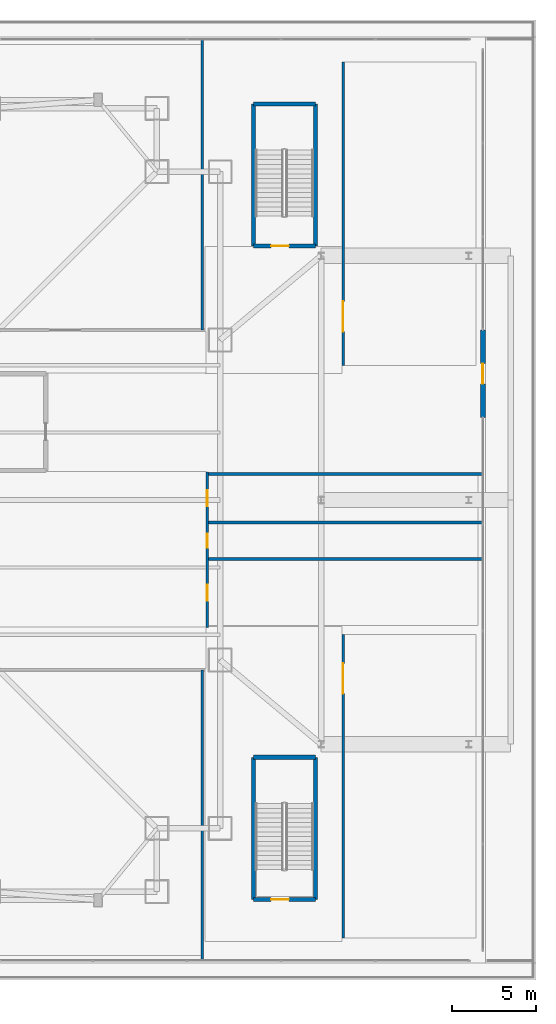
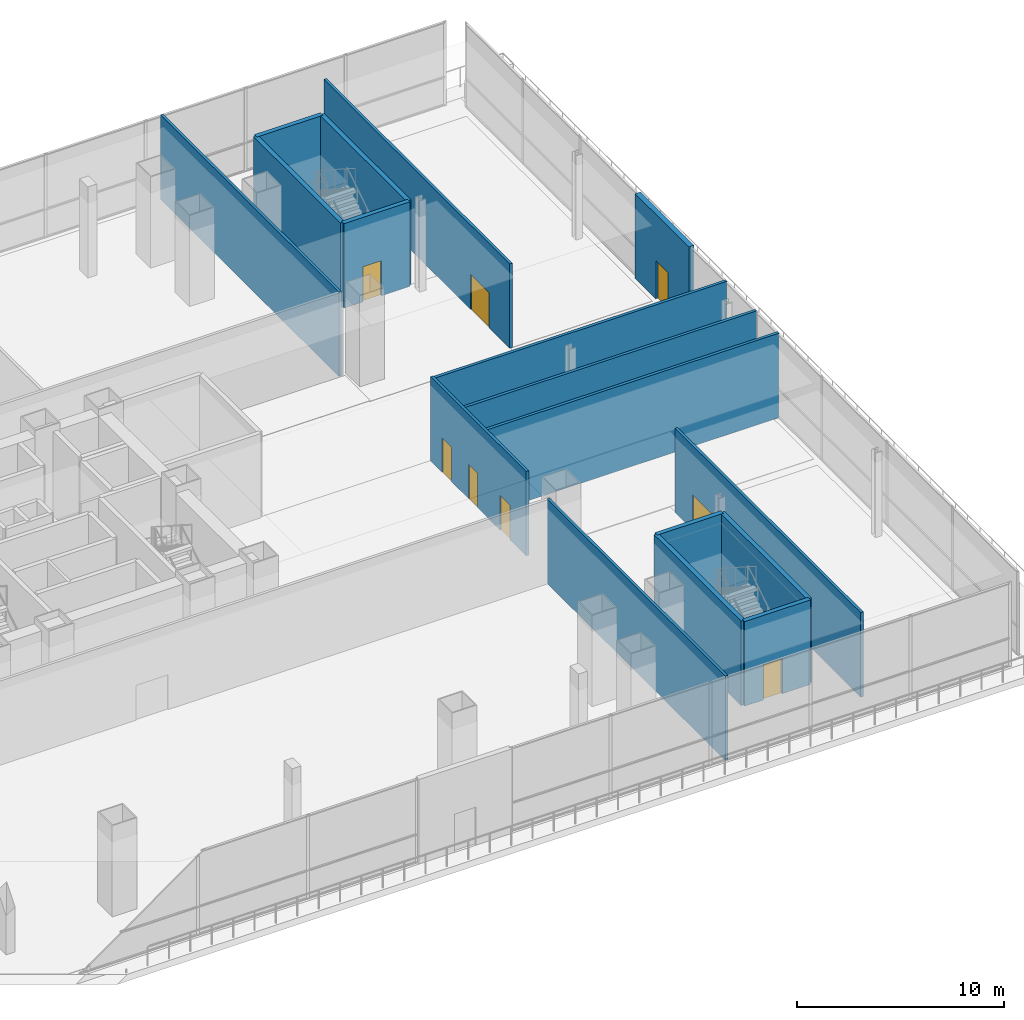
# One storey, part 23 of 36: 17 walls, 8 doors, 8 openings.
"""IFC4 building model written with IfcOpenShell, lengths in metres."""

import ifcopenshell
import ifcopenshell.guid

model = None  # the IFC model being written
_history = None  # IfcOwnerHistory: only IFC2X3 demands one
_inside = {}  # id of a spatial element -> (the spatial element, [elements in it])
_under = {}  # id of a project, library or spatial element -> (it, [spatial elements below it])
_declared = {}  # id of a project -> (the project, [libraries it declares])
_typed = {}  # id of a type object -> (the type object, [elements of that type])
_made_of = {}  # id of a material, layer set ... -> (it, [elements and type objects made of it])


def new_model(schema):
    """Start an empty IFC model of exactly this schema.

    Asked for "IFC4X3", IfcOpenShell would pick the latest addendum, in which some entities
    have other attributes; the version numbers below select the first issue.
    IFC2X3 requires an IfcOwnerHistory on every rooted entity: one is made here for all.
    """
    global model, _history
    if schema == "IFC4X3":
        model = ifcopenshell.file(schema_version=(4, 3, 0, 0))
    else:
        model = ifcopenshell.file(schema=schema)
    _inside.clear()
    _under.clear()
    _declared.clear()
    _typed.clear()
    _made_of.clear()
    _history = None
    if model.schema == "IFC2X3":
        org = make("IfcOrganization", Name="unknown")
        user = make(
            "IfcPersonAndOrganization",
            ThePerson=make("IfcPerson", FamilyName="unknown"),
            TheOrganization=org,
        )
        app = make(
            "IfcApplication",
            ApplicationDeveloper=org,
            Version="unknown",
            ApplicationFullName="unknown",
            ApplicationIdentifier="unknown",
        )
        _history = make(
            "IfcOwnerHistory",
            OwningUser=user,
            OwningApplication=app,
            ChangeAction="ADDED",
            CreationDate=0,
        )
    return model


def make(cls, **values):
    """One entity of the class cls with the attributes given. An attribute that is None is left unset."""
    return model.create_entity(
        cls, **{name: value for name, value in values.items() if value is not None}
    )


def rooted(cls, **values):
    """An entity with a GlobalId (a new one), such as an element, a storey or a relation."""
    return make(cls, GlobalId=ifcopenshell.guid.new(), OwnerHistory=_history, **values)


def si_unit(unit_type, name, prefix=None):
    """IfcSIUnit, for example si_unit("LENGTHUNIT", "METRE", prefix="MILLI")."""
    return make("IfcSIUnit", UnitType=unit_type, Prefix=prefix, Name=name)


def assignment(units):
    """IfcUnitAssignment: the units of a project."""
    return None if units is None else make("IfcUnitAssignment", Units=units)


def point(xyz):
    """IfcCartesianPoint."""
    return None if xyz is None else make("IfcCartesianPoint", Coordinates=xyz)


def direction(xyz):
    """IfcDirection."""
    return None if xyz is None else make("IfcDirection", DirectionRatios=xyz)


def frame(location, z_axis=None, x_axis=None):
    """IfcAxis2Placement3D, a coordinate frame: its origin and axes. An axis left out is left unset."""
    return make(
        "IfcAxis2Placement3D",
        Location=point(location),
        Axis=direction(z_axis),
        RefDirection=direction(x_axis),
    )


def frame_2d(location, x_axis=None):
    """IfcAxis2Placement2D, a coordinate frame in the plane: its origin and x axis."""
    return make(
        "IfcAxis2Placement2D", Location=point(location), RefDirection=direction(x_axis)
    )


def origin():
    """The frame at (0, 0, 0) with its axes left unset."""
    return frame((0.0, 0.0, 0.0))


def place(relative_to, where):
    """IfcLocalPlacement: puts the frame where relative to a parent placement (None: the world)."""
    return make(
        "IfcLocalPlacement", PlacementRelTo=relative_to, RelativePlacement=where
    )


def context(
    kind, dimensions, precision=None, world=None, true_north=None, identifier=None
):
    """IfcGeometricRepresentationContext, for example the 3D "Model" context."""
    return make(
        "IfcGeometricRepresentationContext",
        ContextIdentifier=identifier,
        ContextType=kind,
        CoordinateSpaceDimension=dimensions,
        Precision=precision,
        WorldCoordinateSystem=world,
        TrueNorth=true_north,
    )


def subcontext(parent, identifier, kind, view, scale=None):
    """IfcGeometricRepresentationSubContext, for example "Body" below "Model"."""
    return make(
        "IfcGeometricRepresentationSubContext",
        ContextIdentifier=identifier,
        ContextType=kind,
        ParentContext=parent,
        TargetScale=scale,
        TargetView=view,
    )


def project(units=None, contexts=None):
    """IfcProject with its units and contexts."""
    return rooted(
        "IfcProject",
        Name="project",
        RepresentationContexts=contexts,
        UnitsInContext=assignment(units),
    )


def spatial(cls, under=None, at=None, **own):
    """A site, building, storey or space (cls), placed at a placement, below another one or the project."""
    s = rooted(cls, ObjectPlacement=at, **own)
    if under is not None:
        _under.setdefault(under.id(), (under, []))[1].append(s)
    return s


def profile(cls, at=None, kind="AREA", **sizes):
    """A parametric profile (cls). Its sizes go by their IFC names, for example OverallWidth=200.0."""
    return make(cls, ProfileType=kind, Position=at, **sizes)


def rectangle(**sizes):
    """IfcRectangleProfileDef."""
    return profile("IfcRectangleProfileDef", **sizes)


def extrude(swept, where, along, depth):
    """IfcExtrudedAreaSolid: the profile swept, set in the frame where, extruded along a direction by depth."""
    return make(
        "IfcExtrudedAreaSolid",
        SweptArea=swept,
        Position=where,
        ExtrudedDirection=direction(along),
        Depth=depth,
    )


def shape(context_of_items, identifier, shape_type, items):
    """IfcShapeRepresentation: the items that make up one representation, for example the "Body"."""
    return make(
        "IfcShapeRepresentation",
        ContextOfItems=context_of_items,
        RepresentationIdentifier=identifier,
        RepresentationType=shape_type,
        Items=items,
    )


def material(Name=None, Category=None):
    """IfcMaterial."""
    return make("IfcMaterial", Name=Name, Category=Category)


def layer(
    of_material, thickness, ventilated=None, Name=None, Category=None, Priority=None
):
    """IfcMaterialLayer: one layer of a wall or slab, of a material (None: an air gap)."""
    return make(
        "IfcMaterialLayer",
        Material=of_material,
        LayerThickness=thickness,
        IsVentilated=ventilated,
        Name=Name,
        Category=Category,
        Priority=Priority,
    )


def layer_set(layers, Name=None):
    """IfcMaterialLayerSet."""
    return make("IfcMaterialLayerSet", MaterialLayers=layers, LayerSetName=Name)


def made_of(thing, what):
    """Note that an element or type object is made of a material, layer set ...; save() writes the relation."""
    if what is not None:
        _made_of.setdefault(what.id(), (what, []))[1].append(thing)
    return thing


def type_object(cls, material=None, **own):
    """A type object (cls), such as IfcWallType, which elements share."""
    return made_of(rooted(cls, **own), material)


def element(
    cls,
    number,
    at=None,
    inside=None,
    cuts=None,
    type_object=None,
    material=None,
    context=None,
    identifier="Body",
    shape_type=None,
    held_by="IfcProductDefinitionShape",
    body=None,
    shapes=None,
    **own,
):
    """One element of the class cls, such as IfcWall. Its Tag is "e" and its number.

    at: its placement. inside: the storey or other place that contains it. cuts: it is an
    opening in that element (IfcRelVoidsElement). A single representation is given by context,
    identifier, shape_type and body (its items); several are given by shapes. held_by: the class
    of the entity that holds the representations. save() writes the other relations.
    """
    e = rooted(cls, Tag="e%d" % number, ObjectPlacement=at, **own)
    if body is not None:
        shapes = [shape(context, identifier, shape_type, body)]
    if shapes is not None:
        e.Representation = make(held_by, Representations=shapes)
    if inside is not None:
        _inside.setdefault(inside.id(), (inside, []))[1].append(e)
    if cuts is not None:
        rooted(
            "IfcRelVoidsElement", RelatingBuildingElement=cuts, RelatedOpeningElement=e
        )
    if type_object is not None:
        _typed.setdefault(type_object.id(), (type_object, []))[1].append(e)
    return made_of(e, material)


def fill(opening, filler):
    """IfcRelFillsElement: the door or window that sits in an opening."""
    return rooted(
        "IfcRelFillsElement",
        RelatingOpeningElement=opening,
        RelatedBuildingElement=filler,
    )


def aggregate(whole, parts):
    """IfcRelAggregates: a whole, such as a stair, and the parts it consists of."""
    return rooted("IfcRelAggregates", RelatingObject=whole, RelatedObjects=parts)


def save(model, path):
    """Write the relations noted so far, then the file.

    IfcRelAggregates (storeys below a building ...), IfcRelContainedInSpatialStructure (elements
    in a storey), IfcRelDefinesByType, IfcRelAssociatesMaterial and IfcRelDeclares: one each for
    every whole, place, type object, material and project.
    """
    for whole, parts in _under.values():
        aggregate(whole, parts)
    for where, things in _inside.values():
        rooted(
            "IfcRelContainedInSpatialStructure",
            RelatedElements=things,
            RelatingStructure=where,
        )
    for kind, things in _typed.values():
        rooted("IfcRelDefinesByType", RelatedObjects=things, RelatingType=kind)
    for what, things in _made_of.values():
        rooted("IfcRelAssociatesMaterial", RelatedObjects=things, RelatingMaterial=what)
    for by, libraries in _declared.values():
        rooted("IfcRelDeclares", RelatingContext=by, RelatedDefinitions=libraries)
    model.write(path)


model = new_model("IFC4")

# Units and contexts
model_context = context("Model", 3, precision=1e-05, world=origin(), true_north=direction((0.0, 1.0)))
body_context = subcontext(model_context, "Body", "Model", "MODEL_VIEW")
ifc_project = project(units=[si_unit("LENGTHUNIT", "METRE"), si_unit("AREAUNIT", "SQUARE_METRE"), si_unit("VOLUMEUNIT", "CUBIC_METRE"), si_unit("PLANEANGLEUNIT", "RADIAN"), si_unit("MASSUNIT", "GRAM", prefix="KILO")], contexts=[model_context])

# Site, building, storey
site_placement = place(None, origin())
site = spatial("IfcSite", under=ifc_project, at=site_placement, CompositionType="ELEMENT")
building_placement = place(site_placement, origin())
building = spatial("IfcBuilding", under=site, at=building_placement, Name="Trevonay Congress Spire", CompositionType="ELEMENT")
storey_placement = place(building_placement, frame((0.0, 0.0, 5.39990234375)))
storey = spatial("IfcBuildingStorey", under=building, at=storey_placement, Name="L01", CompositionType="ELEMENT", Elevation=5.39990234375)

# Wall, openings, doors
ifc_material_1 = material(Name="Concrete C40/50", Category="concrete")
ifc_layer_1 = layer(ifc_material_1, 0.14990234375, Name="Concrete C40/50")
ifc_layer_set_1 = layer_set([ifc_layer_1], Name="Concrete C40/50")
wall_type_1 = type_object("IfcWallType", Name="WAL-CORR-150", PredefinedType="PARTITIONING", material=ifc_layer_set_1)
wall_1_placement = place(storey_placement, frame((22.47998046875, -7.570068359375, 0.0), z_axis=(0.0, 0.0, 1.0), x_axis=(0.0, 1.0, 0.0)))
wall_1 = element("IfcWall", 1, at=wall_1_placement, inside=storey, type_object=wall_type_1, Name="L01 interior wall WP-L01E-COR", PredefinedType="PARTITIONING", context=body_context, shape_type="SweptSolid", body=[
    extrude(rectangle(XDim=9.239990234375, YDim=0.14990234375, at=frame_2d((4.6201171875, 0.0))), origin(), (0.0, 0.0, 1.0), 5.0),
])
opening_1_placement = place(wall_1_placement, frame((1.580078125, 0.0, 0.0)))
opening_1 = element("IfcOpeningElement", 2, at=opening_1_placement, cuts=wall_1, Name="Opening D07", PredefinedType="OPENING", context=body_context, shape_type="SweptSolid", body=[
    extrude(rectangle(XDim=0.949951171875, YDim=2.06005859375, at=frame_2d((0.47509765625, 1.030029296875))), frame((0.0, 0.0849609375, 0.0), z_axis=(0.0, -1.0, 0.0), x_axis=(1.0, 0.0, 0.0)), (0.0, 0.0, 1.0), 0.169921875),
])
opening_2_placement = place(wall_1_placement, frame((4.72998046875, 0.0, 0.0)))
opening_2 = element("IfcOpeningElement", 3, at=opening_2_placement, cuts=wall_1, Name="Opening D10", PredefinedType="OPENING", context=body_context, shape_type="SweptSolid", body=[
    extrude(rectangle(XDim=0.85009765625, YDim=2.050048828125, at=frame_2d((0.425048828125, 1.02490234375))), frame((0.0, 0.0849609375, 0.0), z_axis=(0.0, -1.0, 0.0), x_axis=(1.0, 0.0, 0.0)), (0.0, 0.0, 1.0), 0.169921875),
])
opening_3_placement = place(wall_1_placement, frame((7.205078125, 0.0, 0.0)))
opening_3 = element("IfcOpeningElement", 4, at=opening_3_placement, cuts=wall_1, Name="Opening D07", PredefinedType="OPENING", context=body_context, shape_type="SweptSolid", body=[
    extrude(rectangle(XDim=0.949951171875, YDim=2.06005859375, at=frame_2d((0.47509765625, 1.030029296875))), frame((0.0, 0.0849609375, 0.0), z_axis=(0.0, -1.0, 0.0), x_axis=(1.0, 0.0, 0.0)), (0.0, 0.0, 1.0), 0.169921875),
])
ifc_material_2 = material(Name="Pale Anodised Aluminium EN AW-6063-T6", Category="aluminium")
door_type_1 = type_object("IfcDoorType", Name="DOR-OFFICE-95", OperationType="NOTDEFINED", PredefinedType="DOOR", material=ifc_material_2)
door_1_placement = place(opening_1_placement, origin())
door_1 = element("IfcDoor", 5, at=door_1_placement, inside=storey, type_object=door_type_1, Name="L01 East VIP Protocol Salon Door", OperationType="SINGLE_SWING_RIGHT", OverallHeight=2.06005859375, OverallWidth=0.949951171875, PredefinedType="DOOR", context=body_context, shape_type="SweptSolid", body=[
    extrude(rectangle(XDim=0.949951171875, YDim=2.06005859375, at=frame_2d((0.47509765625, 1.030029296875))), frame((0.0, 0.02490234375, 0.0), z_axis=(0.0, -1.0, 0.0), x_axis=(1.0, 0.0, 0.0)), (0.0, 0.0, 1.0), 0.050048828125),
])
fill(opening_1, door_1)
door_2_placement = place(opening_3_placement, origin())
door_2 = element("IfcDoor", 6, at=door_2_placement, inside=storey, type_object=door_type_1, Name="L01 Floor Supplies and Copy Room Door", OperationType="SINGLE_SWING_RIGHT", OverallHeight=2.06005859375, OverallWidth=0.949951171875, PredefinedType="DOOR", context=body_context, shape_type="SweptSolid", body=[
    extrude(rectangle(XDim=0.949951171875, YDim=2.06005859375, at=frame_2d((0.47509765625, 1.030029296875))), frame((0.0, 0.02490234375, 0.0), z_axis=(0.0, -1.0, 0.0), x_axis=(1.0, 0.0, 0.0)), (0.0, 0.0, 1.0), 0.050048828125),
])
fill(opening_3, door_2)
door_type_2 = type_object("IfcDoorType", Name="DOR-WC-85", OperationType="NOTDEFINED", PredefinedType="DOOR", material=ifc_material_2)
door_3_placement = place(opening_2_placement, origin())
door_3 = element("IfcDoor", 7, at=door_3_placement, inside=storey, type_object=door_type_2, Name="L01 Female Restroom WC Door", OperationType="SINGLE_SWING_LEFT", OverallHeight=2.050048828125, OverallWidth=0.85009765625, PredefinedType="DOOR", context=body_context, shape_type="SweptSolid", body=[
    extrude(rectangle(XDim=0.85009765625, YDim=2.050048828125, at=frame_2d((0.425048828125, 1.02490234375))), frame((0.0, 0.02490234375, 0.0), z_axis=(0.0, -1.0, 0.0), x_axis=(1.0, 0.0, 0.0)), (0.0, 0.0, 1.0), 0.050048828125),
])
fill(opening_2, door_3)

# Wall, opening, door
wall_2_placement = place(storey_placement, frame((30.550048828125, -26.0, 0.0), z_axis=(0.0, 0.0, 1.0), x_axis=(0.0, 1.0, 0.0)))
wall_2 = element("IfcWall", 8, at=wall_2_placement, inside=storey, type_object=wall_type_1, Name="L01 interior wall WL01-XSE", PredefinedType="PARTITIONING", context=body_context, shape_type="SweptSolid", body=[
    extrude(rectangle(XDim=18.0, YDim=0.14990234375, at=frame_2d((9.0, 0.0))), origin(), (0.0, 0.0, 1.0), 5.0),
])
opening_4_placement = place(wall_2_placement, frame((14.5, 0.0, 0.0)))
opening_4 = element("IfcOpeningElement", 9, at=opening_4_placement, cuts=wall_2, Name="Opening D09", PredefinedType="OPENING", context=body_context, shape_type="SweptSolid", body=[
    extrude(rectangle(XDim=1.800048828125, YDim=2.080078125, at=frame_2d((0.89990234375, 1.0400390625))), frame((0.0, 0.0849609375, 0.0), z_axis=(0.0, -1.0, 0.0), x_axis=(1.0, 0.0, 0.0)), (0.0, 0.0, 1.0), 0.169921875),
])
door_type_3 = type_object("IfcDoorType", Name="DOR-CONF-DBL", OperationType="DOUBLE_DOOR_SINGLE_SWING", PredefinedType="DOOR", material=ifc_material_2)
door_4_placement = place(opening_4_placement, origin())
door_4 = element("IfcDoor", 10, at=door_4_placement, inside=storey, type_object=door_type_3, Name="L01 L01 South-East Delegation Salon Door", OperationType="DOUBLE_DOOR_SINGLE_SWING", OverallHeight=2.080078125, OverallWidth=1.800048828125, PredefinedType="DOOR", context=body_context, shape_type="SweptSolid", body=[
    extrude(rectangle(XDim=1.800048828125, YDim=2.080078125, at=frame_2d((0.89990234375, 1.0400390625))), frame((0.0, 0.02490234375, 0.0), z_axis=(0.0, -1.0, 0.0), x_axis=(1.0, 0.0, 0.0)), (0.0, 0.0, 1.0), 0.050048828125),
])
fill(opening_4, door_4)

wall_3_placement = place(storey_placement, frame((30.550048828125, 8.0, 0.0), z_axis=(0.0, 0.0, 1.0), x_axis=(0.0, 1.0, 0.0)))
wall_3 = element("IfcWall", 11, at=wall_3_placement, inside=storey, type_object=wall_type_1, Name="L01 interior wall WL01-XNE", PredefinedType="PARTITIONING", context=body_context, shape_type="SweptSolid", body=[
    extrude(rectangle(XDim=18.0, YDim=0.14990234375, at=frame_2d((9.0, 0.0))), origin(), (0.0, 0.0, 1.0), 5.0),
])
opening_5_placement = place(wall_3_placement, frame((2.0, 0.0, 0.0)))
opening_5 = element("IfcOpeningElement", 12, at=opening_5_placement, cuts=wall_3, Name="Opening D09", PredefinedType="OPENING", context=body_context, shape_type="SweptSolid", body=[
    extrude(rectangle(XDim=1.800048828125, YDim=2.080078125, at=frame_2d((0.89990234375, 1.0400390625))), frame((0.0, 0.0849609375, 0.0), z_axis=(0.0, -1.0, 0.0), x_axis=(1.0, 0.0, 0.0)), (0.0, 0.0, 1.0), 0.169921875),
])
door_5_placement = place(opening_5_placement, origin())
door_5 = element("IfcDoor", 13, at=door_5_placement, inside=storey, type_object=door_type_3, Name="L01 L01 North-East Hospitality Salon Door", OperationType="DOUBLE_DOOR_SINGLE_SWING", OverallHeight=2.080078125, OverallWidth=1.800048828125, PredefinedType="DOOR", context=body_context, shape_type="SweptSolid", body=[
    extrude(rectangle(XDim=1.800048828125, YDim=2.080078125, at=frame_2d((0.89990234375, 1.0400390625))), frame((0.0, 0.02490234375, 0.0), z_axis=(0.0, -1.0, 0.0), x_axis=(1.0, 0.0, 0.0)), (0.0, 0.0, 1.0), 0.050048828125),
])
fill(opening_5, door_5)

ifc_material_3 = material(Name="Precast concrete C40/50", Category="concrete")
ifc_layer_2 = layer(ifc_material_3, 0.300048828125, Name="Precast concrete C40/50")
ifc_layer_set_2 = layer_set([ifc_layer_2], Name="Precast concrete C40/50")
wall_type_2 = type_object("IfcWallType", Name="WAL-EXT-PRECAST-300", PredefinedType="SOLIDWALL", material=ifc_layer_set_2)
wall_4_placement = place(storey_placement, frame((38.85009765625, 4.89990234375, 0.0), z_axis=(0.0, 0.0, 1.0), x_axis=(0.0, 1.0, 0.0)))
wall_4 = element("IfcWall", 14, at=wall_4_placement, inside=storey, type_object=wall_type_2, Name="L01 E terrace doorway backup wall", PredefinedType="SOLIDWALL", context=body_context, shape_type="SweptSolid", body=[
    extrude(rectangle(XDim=5.2001953125, YDim=0.300048828125, at=frame_2d((2.60009765625, 0.0))), origin(), (0.0, 0.0, 1.0), 5.0),
])
opening_6_placement = place(wall_4_placement, frame((2.0, 0.0, 0.0)))
opening_6 = element("IfcOpeningElement", 15, at=opening_6_placement, cuts=wall_4, Name="Opening D12", PredefinedType="OPENING", context=body_context, shape_type="SweptSolid", body=[
    extrude(rectangle(XDim=1.199951171875, YDim=2.25, at=frame_2d((0.60009765625, 1.125))), frame((0.0, 0.16015625, 0.0), z_axis=(0.0, -1.0, 0.0), x_axis=(1.0, 0.0, 0.0)), (0.0, 0.0, 1.0), 0.320068359375),
])
door_type_4 = type_object("IfcDoorType", Name="DOR-EXT-TERR-120", OperationType="NOTDEFINED", PredefinedType="DOOR", material=ifc_material_2)
door_6_placement = place(opening_6_placement, origin())
door_6 = element("IfcDoor", 16, at=door_6_placement, inside=storey, type_object=door_type_4, Name="L01 E stepped terrace access door", OperationType="SINGLE_SWING_RIGHT", OverallHeight=2.25, OverallWidth=1.199951171875, PredefinedType="DOOR", context=body_context, shape_type="SweptSolid", body=[
    extrude(rectangle(XDim=1.199951171875, YDim=2.25, at=frame_2d((0.60009765625, 1.125))), frame((0.0, 0.02490234375, 0.0), z_axis=(0.0, -1.0, 0.0), x_axis=(1.0, 0.0, 0.0)), (0.0, 0.0, 1.0), 0.050048828125),
])
fill(opening_6, door_6)

# Walls
ifc_layer_3 = layer(ifc_material_1, 0.14990234375, Name="Concrete C40/50")
ifc_layer_set_3 = layer_set([ifc_layer_3], Name="Concrete C40/50")
wall_type_3 = type_object("IfcWallType", Name="WAL-PART-150", PredefinedType="PARTITIONING", material=ifc_layer_set_3)
for number, where, z_axis, x_axis, name in (
    (17, (22.199951171875, -27.35009765625, 0.0), (0.0, 0.0, 1.0), (0.0, 1.0, 0.0), "L01 interior wall WP-L01S-DIV2"),
    (18, (22.199951171875, 10.080078125, 0.0), (0.0, 0.0, 1.0), (0.0, 1.0, 0.0), "L01 interior wall WP-L01N-DIV4"),
):
    element("IfcWall", number, at=place(storey_placement, frame(where, z_axis=z_axis, x_axis=x_axis)), inside=storey, type_object=wall_type_3, Name=name, PredefinedType="PARTITIONING", context=body_context, shape_type="SweptSolid", body=[
        extrude(rectangle(XDim=17.27001953125, YDim=0.14990234375, at=frame_2d((8.635009765625, 0.0))), origin(), (0.0, 0.0, 1.0), 5.0),
    ])

# Wall, opening, door
ifc_layer_4 = layer(ifc_material_1, 0.25, Name="Concrete C40/50")
ifc_layer_set_4 = layer_set([ifc_layer_4], Name="Concrete C40/50")
wall_type_4 = type_object("IfcWallType", Name="WAL-SHAFT-LB-250", PredefinedType="SHEAR", material=ifc_layer_set_4)
wall_5_placement = place(storey_placement, frame((25.22998046875, -23.719970703125, 0.0), z_axis=(0.0, 0.0, 1.0), x_axis=(1.0, 0.0, 0.0)))
wall_5 = element("IfcWall", 19, at=wall_5_placement, inside=storey, type_object=wall_type_4, Name="L01 interior shaft wall WSH-L01-ST-4-S", PredefinedType="SHEAR", context=body_context, shape_type="SweptSolid", body=[
    extrude(rectangle(XDim=3.68994140625, YDim=0.25, at=frame_2d((1.844970703125, 0.0))), origin(), (0.0, 0.0, 1.0), 5.0),
])
opening_7_placement = place(wall_5_placement, frame((1.050048828125, 0.0, 0.0)))
opening_7 = element("IfcOpeningElement", 20, at=opening_7_placement, cuts=wall_5, Name="Opening D05", PredefinedType="OPENING", context=body_context, shape_type="SweptSolid", body=[
    extrude(rectangle(XDim=1.050048828125, YDim=2.080078125, at=frame_2d((0.52490234375, 1.0400390625))), frame((0.0, 0.135009765625, 0.0), z_axis=(0.0, -1.0, 0.0), x_axis=(1.0, 0.0, 0.0)), (0.0, 0.0, 1.0), 0.27001953125),
])
ifc_material_4 = material(Name="Steel ASTM A572 Grade 50", Category="steel")
door_type_5 = type_object("IfcDoorType", Name="DOR-STAIR-110", OperationType="NOTDEFINED", PredefinedType="DOOR", material=ifc_material_4)
door_7_placement = place(opening_7_placement, origin())
door_7 = element("IfcDoor", 21, at=door_7_placement, inside=storey, type_object=door_type_5, Name="L01 Escape Stair ST-4 Door", OperationType="SINGLE_SWING_RIGHT", OverallHeight=2.080078125, OverallWidth=1.050048828125, PredefinedType="DOOR", context=body_context, shape_type="SweptSolid", body=[
    extrude(rectangle(XDim=1.050048828125, YDim=2.080078125, at=frame_2d((0.52490234375, 1.0400390625))), frame((0.0, 0.02490234375, 0.0), z_axis=(0.0, -1.0, 0.0), x_axis=(1.0, 0.0, 0.0)), (0.0, 0.0, 1.0), 0.050048828125),
])
fill(opening_7, door_7)

# Walls
wall_6_placement = place(storey_placement, frame((25.22998046875, -15.280029296875, 0.0), z_axis=(0.0, 0.0, 1.0), x_axis=(1.0, 0.0, 0.0)))
element("IfcWall", 22, at=wall_6_placement, inside=storey, type_object=wall_type_4, Name="L01 interior shaft wall WSH-L01-ST-4-N", PredefinedType="SHEAR", context=body_context, shape_type="SweptSolid", body=[
    extrude(rectangle(XDim=3.68994140625, YDim=0.25, at=frame_2d((1.844970703125, 0.0))), origin(), (0.0, 0.0, 1.0), 5.0),
])
for number, where, z_axis, x_axis, name in (
    (23, (25.22998046875, -23.719970703125, 0.0), (0.0, 0.0, 1.0), (0.0, 1.0, 0.0), "L01 interior shaft wall WSH-L01-ST-4-W"),
    (24, (28.919921875, -23.719970703125, 0.0), (0.0, 0.0, 1.0), (0.0, 1.0, 0.0), "L01 interior shaft wall WSH-L01-ST-4-E"),
):
    element("IfcWall", number, at=place(storey_placement, frame(where, z_axis=z_axis, x_axis=x_axis)), inside=storey, type_object=wall_type_4, Name=name, PredefinedType="SHEAR", context=body_context, shape_type="SweptSolid", body=[
        extrude(rectangle(XDim=8.43994140625, YDim=0.25, at=frame_2d((4.219970703125, 0.0))), origin(), (0.0, 0.0, 1.0), 5.0),
    ])

# Wall, opening, door
wall_7_placement = place(storey_placement, frame((25.22998046875, 15.080078125, 0.0), z_axis=(0.0, 0.0, 1.0), x_axis=(1.0, 0.0, 0.0)))
wall_7 = element("IfcWall", 25, at=wall_7_placement, inside=storey, type_object=wall_type_4, Name="L01 interior shaft wall WSH-L01-ST-6-S", PredefinedType="SHEAR", context=body_context, shape_type="SweptSolid", body=[
    extrude(rectangle(XDim=3.68994140625, YDim=0.25, at=frame_2d((1.844970703125, 0.0))), origin(), (0.0, 0.0, 1.0), 5.0),
])
opening_8_placement = place(wall_7_placement, frame((1.050048828125, 0.0, 0.0)))
opening_8 = element("IfcOpeningElement", 26, at=opening_8_placement, cuts=wall_7, Name="Opening D05", PredefinedType="OPENING", context=body_context, shape_type="SweptSolid", body=[
    extrude(rectangle(XDim=1.050048828125, YDim=2.080078125, at=frame_2d((0.52490234375, 1.0400390625))), frame((0.0, 0.135009765625, 0.0), z_axis=(0.0, -1.0, 0.0), x_axis=(1.0, 0.0, 0.0)), (0.0, 0.0, 1.0), 0.27001953125),
])
door_8_placement = place(opening_8_placement, origin())
door_8 = element("IfcDoor", 27, at=door_8_placement, inside=storey, type_object=door_type_5, Name="L01 Escape Stair ST-6 Door", OperationType="SINGLE_SWING_RIGHT", OverallHeight=2.080078125, OverallWidth=1.050048828125, PredefinedType="DOOR", context=body_context, shape_type="SweptSolid", body=[
    extrude(rectangle(XDim=1.050048828125, YDim=2.080078125, at=frame_2d((0.52490234375, 1.0400390625))), frame((0.0, 0.02490234375, 0.0), z_axis=(0.0, -1.0, 0.0), x_axis=(1.0, 0.0, 0.0)), (0.0, 0.0, 1.0), 0.050048828125),
])
fill(opening_8, door_8)

# Walls
wall_8_placement = place(storey_placement, frame((25.22998046875, 23.52001953125, 0.0), z_axis=(0.0, 0.0, 1.0), x_axis=(1.0, 0.0, 0.0)))
element("IfcWall", 28, at=wall_8_placement, inside=storey, type_object=wall_type_4, Name="L01 interior shaft wall WSH-L01-ST-6-N", PredefinedType="SHEAR", context=body_context, shape_type="SweptSolid", body=[
    extrude(rectangle(XDim=3.68994140625, YDim=0.25, at=frame_2d((1.844970703125, 0.0))), origin(), (0.0, 0.0, 1.0), 5.0),
])
for number, where, z_axis, x_axis, name in (
    (29, (25.22998046875, 15.080078125, 0.0), (0.0, 0.0, 1.0), (0.0, 1.0, 0.0), "L01 interior shaft wall WSH-L01-ST-6-W"),
    (30, (28.919921875, 15.080078125, 0.0), (0.0, 0.0, 1.0), (0.0, 1.0, 0.0), "L01 interior shaft wall WSH-L01-ST-6-E"),
):
    element("IfcWall", number, at=place(storey_placement, frame(where, z_axis=z_axis, x_axis=x_axis)), inside=storey, type_object=wall_type_4, Name=name, PredefinedType="SHEAR", context=body_context, shape_type="SweptSolid", body=[
        extrude(rectangle(XDim=8.43994140625, YDim=0.25, at=frame_2d((4.219970703125, 0.0))), origin(), (0.0, 0.0, 1.0), 5.0),
    ])
ifc_layer_5 = layer(ifc_material_1, 0.1650390625, Name="Concrete C40/50")
ifc_layer_set_5 = layer_set([ifc_layer_5], Name="Concrete C40/50")
wall_type_5 = type_object("IfcWallType", Name="WAL-WET-165", PredefinedType="PLUMBINGWALL", material=ifc_layer_set_5)
for number, where, z_axis, x_axis, name in (
    (31, (22.47998046875, -1.330078125, 0.0), (0.0, 0.0, 1.0), (1.0, 0.0, 0.0), "L01 interior wall WP-L01E-WCS2"),
    (32, (22.47998046875, -3.5, 0.0), (0.0, 0.0, 1.0), (1.0, 0.0, 0.0), "L01 interior wall WP-L01E-DIV1"),
    (33, (22.47998046875, 1.550048828125, 0.0), (0.0, 0.0, 1.0), (1.0, 0.0, 0.0), "L01 interior wall WP-L01E-DIV2"),
):
    element("IfcWall", number, at=place(storey_placement, frame(where, z_axis=z_axis, x_axis=x_axis)), inside=storey, type_object=wall_type_5, Name=name, PredefinedType="PLUMBINGWALL", context=body_context, shape_type="SweptSolid", body=[
        extrude(rectangle(XDim=16.3701171875, YDim=0.1650390625, at=frame_2d((8.18505859375, 0.0))), origin(), (0.0, 0.0, 1.0), 5.0),
    ])

save(model, "model.ifc")
